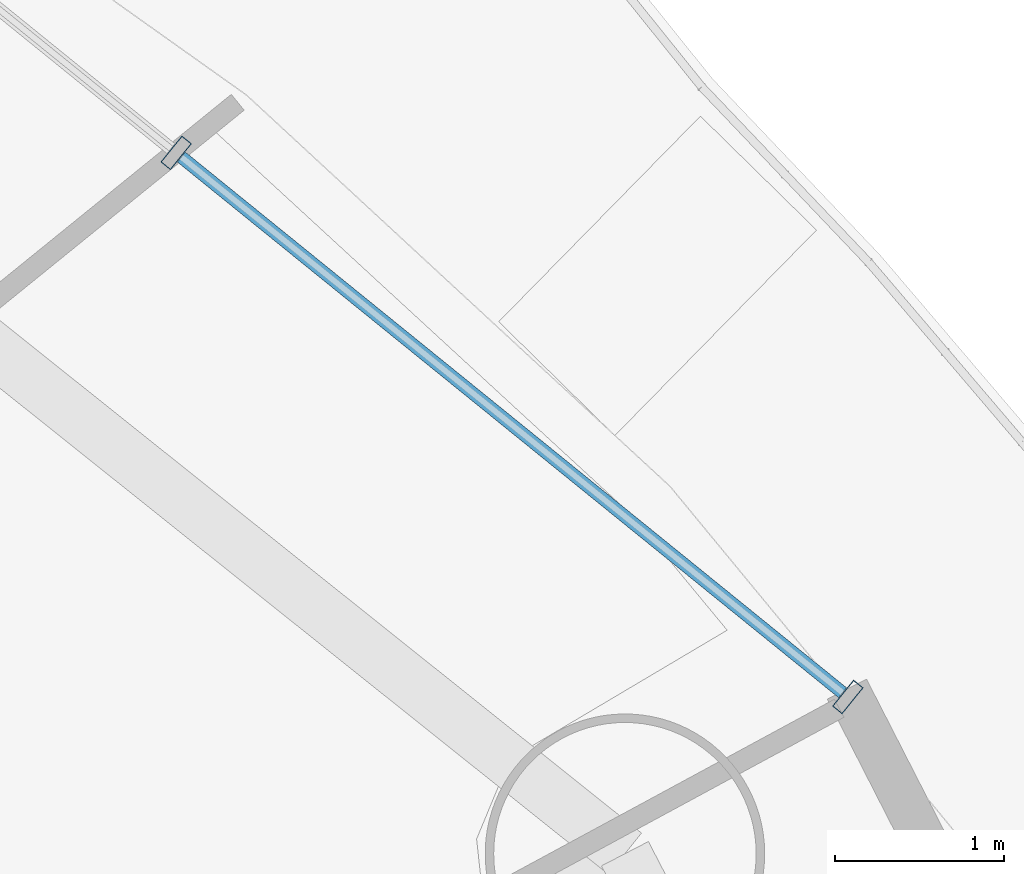
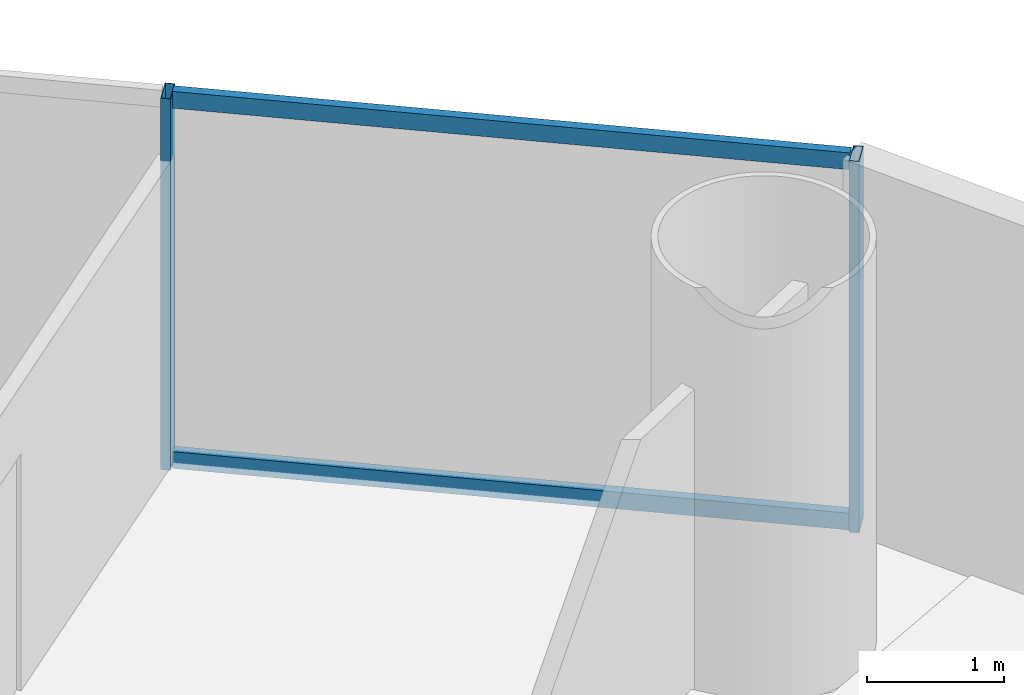
# One storey, part 21 of 30: 4 members, 1 element without a shape of its own.
"""IFC4 building model written with IfcOpenShell, lengths in metres."""

from ifc_helpers import new_model, si_unit, direction, frame, origin, origin_2d, place, context, subcontext, project, spatial, hollow_rectangle, extrude, source, transform, mapped, material, material_profile, profile_set, type_object, element, aggregate, save


model = new_model("IFC4")

# Units and contexts
model_context = context("Model", 3, precision=1e-05, world=origin(), true_north=direction((-0.2419218956, 0.970295726276)))
body_context = subcontext(model_context, "Body", "Model", "MODEL_VIEW")
ifc_project = project(units=[si_unit("LENGTHUNIT", "METRE"), si_unit("AREAUNIT", "SQUARE_METRE"), si_unit("VOLUMEUNIT", "CUBIC_METRE"), si_unit("PLANEANGLEUNIT", "RADIAN"), si_unit("MASSUNIT", "GRAM", prefix="KILO")], contexts=[model_context])

# Site, building, storey
site_placement = place(None, origin())
site = spatial("IfcSite", under=ifc_project, at=site_placement, CompositionType="ELEMENT")
building_placement = place(site_placement, origin())
building = spatial("IfcBuilding", under=site, at=building_placement, Name="Cobrevalo Terracotta Tower", CompositionType="ELEMENT")
storey_placement = place(building_placement, frame((0.0, 0.0, 27.60009765625)))
storey = spatial("IfcBuildingStorey", under=building, at=storey_placement, Name="L06", CompositionType="ELEMENT", Elevation=27.60009765625)

# Curtain wall, members
ifc_material = material(Name="Anodized aluminium", Category="aluminium")
curtain_wall_type = type_object("IfcCurtainWallType", Name="Lower-tower unitised acoustic low-E curtain wall CW-U1", PredefinedType="NOTDEFINED", material=ifc_material)
curtain_wall_placement = place(storey_placement, origin())
curtain_wall = element("IfcCurtainWall", 1, at=curtain_wall_placement, inside=storey, type_object=curtain_wall_type, Name="L06 curtain wall CW-L06-S02", PredefinedType="NOTDEFINED")
ifc_material_profile_1 = material_profile(ifc_material, hollow_rectangle(XDim=0.074951171875, YDim=0.14990234375, WallThickness=0.00439453125, at=origin_2d()), Name="CWT 75x150")
ifc_profile_set_1 = profile_set([ifc_material_profile_1], Name="Anodized aluminium")
member_type_1 = type_object("IfcMemberType", Name="Tower unitised aluminium transom 75x150", PredefinedType="USERDEFINED", material=ifc_profile_set_1)
shared_shape_1 = source(origin(), body_context, "Body", "SweptSolid", [
    extrude(hollow_rectangle(XDim=0.074951171875, YDim=0.14990234375, WallThickness=0.00439453125, at=origin_2d()), origin(), (0.0, 0.0, 1.0), 5.0234375),
])
member_1_placement = place(storey_placement, frame((62.025634765625, 39.8896484375, 0.0498046875), z_axis=(-0.777022991593, 0.629472215857, 0.0), x_axis=(-0.629472215857, -0.777022991593, 0.0)))
member_1 = element("IfcMember", 2, at=member_1_placement, type_object=member_type_1, Name="CW-L06-S02 transom B01-T1", ObjectType="TRANSOM", PredefinedType="USERDEFINED", context=body_context, shape_type="MappedRepresentation", body=[
    mapped(shared_shape_1, transform((0.0, 0.0, 0.0), scale=1.0)),
])
member_2_placement = place(storey_placement, frame((62.025634765625, 39.8896484375, 3.27001953125), z_axis=(-0.777022991593, 0.629472215857, 0.0), x_axis=(-0.629472215857, -0.777022991593, 0.0)))
member_2 = element("IfcMember", 3, at=member_2_placement, type_object=member_type_1, Name="CW-L06-S02 transom B01-T2", ObjectType="TRANSOM", PredefinedType="USERDEFINED", context=body_context, shape_type="MappedRepresentation", body=[
    mapped(shared_shape_1, transform((0.0, 0.0, 0.0), scale=1.0)),
])
ifc_material_profile_2 = material_profile(ifc_material, hollow_rectangle(XDim=0.074951171875, YDim=0.199951171875, WallThickness=0.0048828125, at=origin_2d()), Name="CWM 75x200")
ifc_profile_set_2 = profile_set([ifc_material_profile_2], Name="Anodized aluminium")
member_type_2 = type_object("IfcMemberType", Name="Lower/mid tower unitised mullion 75x200", PredefinedType="MULLION", material=ifc_profile_set_2)
shared_shape_2 = source(origin(), body_context, "Body", "SweptSolid", [
    extrude(hollow_rectangle(XDim=0.074951171875, YDim=0.199951171875, WallThickness=0.0048828125, at=origin_2d()), origin(), (0.0, 0.0, 1.0), 3.31982421875),
])
member_3_placement = place(storey_placement, frame((62.056640625, 39.864501953125, 0.0), z_axis=(0.0, 0.0, 1.0), x_axis=(-0.777003153187, 0.629496703675, 0.0)))
member_3 = element("IfcMember", 4, at=member_3_placement, type_object=member_type_2, Name="CW-L06-S02 vertical mullion 01", PredefinedType="MULLION", context=body_context, shape_type="MappedRepresentation", body=[
    mapped(shared_shape_2, transform((0.0, 0.0, 0.0), scale=1.0)),
])
member_4_placement = place(storey_placement, frame((58.09130859375, 43.076904296875, 0.0), z_axis=(0.0, 0.0, 1.0), x_axis=(-0.777003153187, 0.629496703675, 0.0)))
member_4 = element("IfcMember", 5, at=member_4_placement, type_object=member_type_2, Name="CW-L06-S02 vertical mullion 02", PredefinedType="MULLION", context=body_context, shape_type="MappedRepresentation", body=[
    mapped(shared_shape_2, transform((0.0, 0.0, 0.0), scale=1.0)),
])
aggregate(curtain_wall, [member_3, member_4, member_1, member_2])

save(model, "model.ifc")
